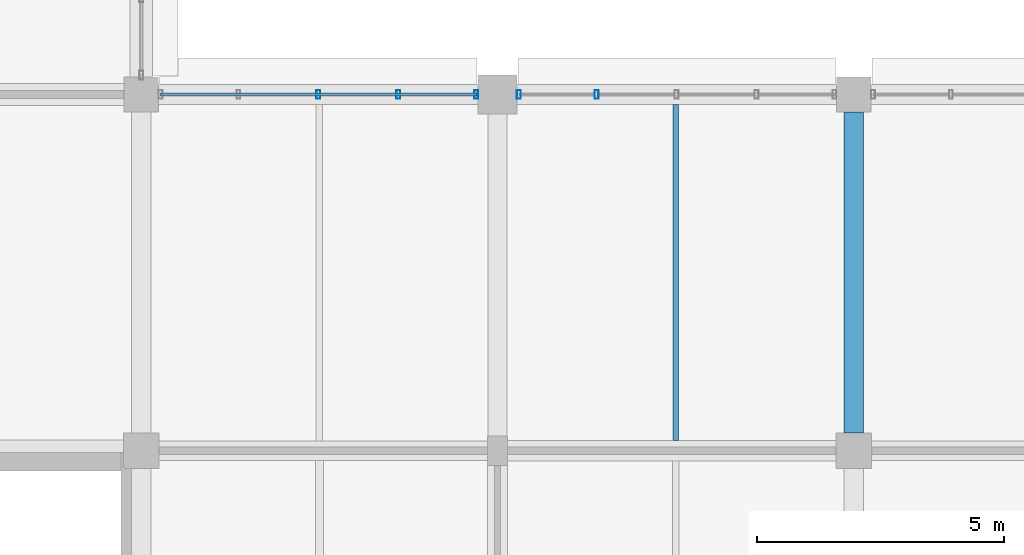
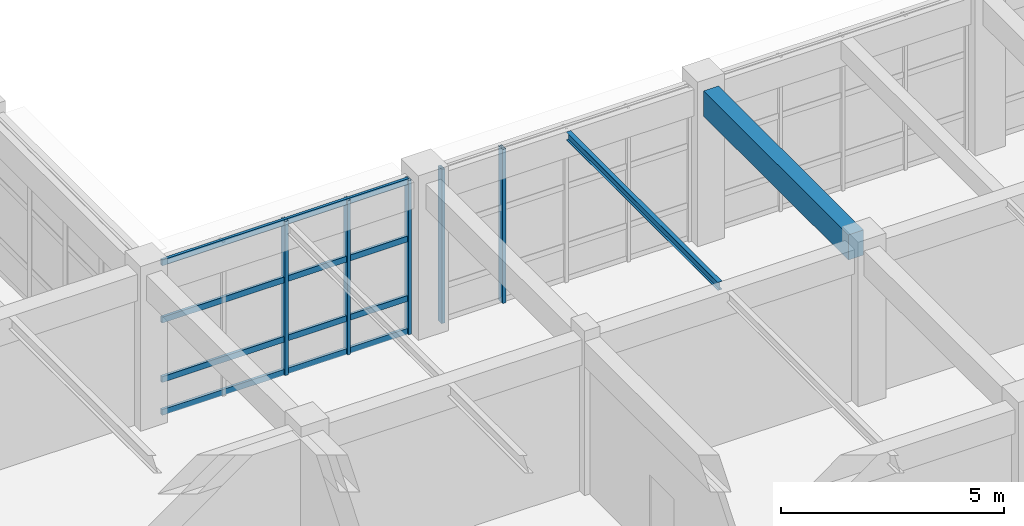
# One storey, part 15 of 171: 9 members, 2 beams, 2 elements without a shape of their own.
"""IFC4 building model written with IfcOpenShell, lengths in metres."""

from ifc_helpers import new_model, si_unit, direction, frame, origin, origin_2d, place, context, subcontext, project, spatial, rectangle, hollow_rectangle, i_section, extrude, material, material_profile, profile_set, type_object, element, aggregate, save


model = new_model("IFC4")

# Units and contexts
model_context = context("Model", 3, precision=1e-05, world=origin(), true_north=direction((0.0, 1.0)))
body_context = subcontext(model_context, "Body", "Model", "MODEL_VIEW")
ifc_project = project(units=[si_unit("LENGTHUNIT", "METRE"), si_unit("AREAUNIT", "SQUARE_METRE"), si_unit("VOLUMEUNIT", "CUBIC_METRE"), si_unit("PLANEANGLEUNIT", "RADIAN"), si_unit("MASSUNIT", "GRAM", prefix="KILO")], contexts=[model_context])

# Site, building, storey
site_placement = place(None, origin())
site = spatial("IfcSite", under=ifc_project, at=site_placement, CompositionType="ELEMENT")
building_placement = place(site_placement, origin())
building = spatial("IfcBuilding", under=site, at=building_placement, Name="Thalmaran Polytechnic", CompositionType="ELEMENT")
storey_placement = place(building_placement, frame((0.0, 0.0, 5.39990234375)))
storey = spatial("IfcBuildingStorey", under=building, at=storey_placement, Name="L01", CompositionType="ELEMENT", Elevation=5.39990234375)

# Beams
ifc_material_1 = material(Name="Concrete C40/50", Category="concrete")
ifc_material_profile_1 = material_profile(ifc_material_1, rectangle(XDim=0.389892578125, YDim=0.68994140625, at=origin_2d()), Name="RC 390x690")
ifc_profile_set_1 = profile_set([ifc_material_profile_1], Name="Concrete C40/50")
beam_type_1 = type_object("IfcBeamType", Name="BM-RC09", PredefinedType="BEAM", material=ifc_profile_set_1)
beam_1_placement = place(storey_placement, frame((43.199951171875, 14.760009765625, 3.864990234375), z_axis=(0.0, 1.0, 0.0), x_axis=(-1.0, 0.0, 0.0)))
element("IfcBeam", 1, at=beam_1_placement, inside=storey, type_object=beam_type_1, Name="Grid Beam B09 L01 Y(6,2)", PredefinedType="BEAM", context=body_context, shape_type="SweptSolid", body=[
    extrude(rectangle(XDim=0.389892578125, YDim=0.68994140625, at=origin_2d()), origin(), (0.0, 0.0, 1.0), 6.489990234375),
])
ifc_material_2 = material(Name="Steel S355", Category="steel")
ifc_material_profile_2 = material_profile(ifc_material_2, i_section(OverallWidth=0.110107421875, OverallDepth=0.219970703125, WebThickness=0.005859375, FlangeThickness=0.00927734375, at=origin_2d()), Name="IPE 220")
ifc_profile_set_2 = profile_set([ifc_material_profile_2], Name="Steel S355")
beam_type_2 = type_object("IfcBeamType", Name="BM-SJ04", PredefinedType="JOIST", material=ifc_profile_set_2)
beam_2_placement = place(storey_placement, frame((39.60009765625, 14.610107421875, 4.10009765625), z_axis=(0.0, 1.0, 0.0), x_axis=(-1.0, 0.0, 0.0)))
element("IfcBeam", 2, at=beam_2_placement, inside=storey, type_object=beam_type_2, Name="Secondary Floor Rib SJ04 L01 (5,2)", PredefinedType="JOIST", context=body_context, shape_type="SweptSolid", body=[
    extrude(i_section(OverallWidth=0.110107421875, OverallDepth=0.219970703125, WebThickness=0.005859375, FlangeThickness=0.00927734375, at=origin_2d()), origin(), (0.0, 0.0, 1.0), 6.789794921875),
])

# Curtain wall, members
ifc_material_3 = material(Name="Aluminium 6063-T6", Category="aluminium")
curtain_wall_type = type_object("IfcCurtainWallType", Name="CW-UC02", PredefinedType="USERDEFINED", material=ifc_material_3)
curtain_wall_1_placement = place(storey_placement, origin())
curtain_wall_1 = element("IfcCurtainWall", 3, at=curtain_wall_1_placement, inside=storey, type_object=curtain_wall_type, Name="Curtain Wall CW-L01-163", ObjectType="UNITISED CURTAIN WALL", PredefinedType="USERDEFINED")
ifc_material_profile_3 = material_profile(ifc_material_3, hollow_rectangle(XDim=0.080078125, YDim=0.179931640625, WallThickness=0.0048828125, at=origin_2d()), Name="RHS 180x80x5.0")
ifc_profile_set_3 = profile_set([ifc_material_profile_3], Name="Aluminium 6063-T6")
member_type_1 = type_object("IfcMemberType", Name="CW-MUL1", PredefinedType="MULLION", material=ifc_profile_set_3)
member_1_placement = place(storey_placement, frame((32.3798828125, 21.60009765625, 0.0), z_axis=(0.0, 0.0, 1.0), x_axis=(1.0, 0.0, 0.0)))
member_1 = element("IfcMember", 4, at=member_1_placement, type_object=member_type_1, Name="CW-L01-163 Mullion 3", PredefinedType="MULLION", context=body_context, shape_type="SweptSolid", body=[
    extrude(hollow_rectangle(XDim=0.080078125, YDim=0.179931640625, WallThickness=0.0048828125, at=origin_2d()), origin(), (0.0, 0.0, 1.0), 4.210205078125),
])
member_2_placement = place(storey_placement, frame((33.9951171875, 21.60009765625, 0.0), z_axis=(0.0, 0.0, 1.0), x_axis=(1.0, 0.0, 0.0)))
member_2 = element("IfcMember", 5, at=member_2_placement, type_object=member_type_1, Name="CW-L01-163 Mullion 4", PredefinedType="MULLION", context=body_context, shape_type="SweptSolid", body=[
    extrude(hollow_rectangle(XDim=0.080078125, YDim=0.179931640625, WallThickness=0.0048828125, at=origin_2d()), origin(), (0.0, 0.0, 1.0), 4.210205078125),
])
member_3_placement = place(storey_placement, frame((35.570068359375, 21.60009765625, 0.0), z_axis=(0.0, 0.0, 1.0), x_axis=(1.0, 0.0, 0.0)))
member_3 = element("IfcMember", 6, at=member_3_placement, type_object=member_type_1, Name="CW-L01-163 Mullion 5", PredefinedType="MULLION", context=body_context, shape_type="SweptSolid", body=[
    extrude(hollow_rectangle(XDim=0.080078125, YDim=0.179931640625, WallThickness=0.0048828125, at=origin_2d()), origin(), (0.0, 0.0, 1.0), 4.210205078125),
])

curtain_wall_2_placement = place(storey_placement, origin())
curtain_wall_2 = element("IfcCurtainWall", 7, at=curtain_wall_2_placement, inside=storey, type_object=curtain_wall_type, Name="Curtain Wall CW-L01-164", ObjectType="UNITISED CURTAIN WALL", PredefinedType="USERDEFINED")
member_4_placement = place(storey_placement, frame((36.429931640625, 21.60009765625, 0.0), z_axis=(0.0, 0.0, 1.0), x_axis=(1.0, 0.0, 0.0)))
member_4 = element("IfcMember", 8, at=member_4_placement, type_object=member_type_1, Name="CW-L01-164 Mullion 1", PredefinedType="MULLION", context=body_context, shape_type="SweptSolid", body=[
    extrude(hollow_rectangle(XDim=0.080078125, YDim=0.179931640625, WallThickness=0.0048828125, at=origin_2d()), origin(), (0.0, 0.0, 1.0), 4.210205078125),
])
member_5_placement = place(storey_placement, frame((38.0048828125, 21.60009765625, 0.0), z_axis=(0.0, 0.0, 1.0), x_axis=(1.0, 0.0, 0.0)))
member_5 = element("IfcMember", 9, at=member_5_placement, type_object=member_type_1, Name="CW-L01-164 Mullion 2", PredefinedType="MULLION", context=body_context, shape_type="SweptSolid", body=[
    extrude(hollow_rectangle(XDim=0.080078125, YDim=0.179931640625, WallThickness=0.0048828125, at=origin_2d()), origin(), (0.0, 0.0, 1.0), 4.210205078125),
])
aggregate(curtain_wall_2, [member_4, member_5])

# Member
ifc_material_profile_4 = material_profile(ifc_material_3, hollow_rectangle(XDim=0.070068359375, YDim=0.159912109375, WallThickness=0.00390625, at=origin_2d()), Name="AL 160x70x4.0")
ifc_profile_set_4 = profile_set([ifc_material_profile_4], Name="Aluminium 6063-T6")
member_type_2 = type_object("IfcMemberType", Name="CW-TRN1", PredefinedType="USERDEFINED", material=ifc_profile_set_4)
member_6_placement = place(storey_placement, frame((29.18994140625, 21.60009765625, 0.06005859375), z_axis=(1.0, 0.0, 0.0), x_axis=(0.0, 1.0, 0.0)))
member_6 = element("IfcMember", 10, at=member_6_placement, type_object=member_type_2, Name="CW-L01-163 Transom 1", ObjectType="TRANSOM", PredefinedType="USERDEFINED", context=body_context, shape_type="SweptSolid", body=[
    extrude(hollow_rectangle(XDim=0.070068359375, YDim=0.159912109375, WallThickness=0.00390625, at=origin_2d()), origin(), (0.0, 0.0, 1.0), 6.380126953125),
])

member_7_placement = place(storey_placement, frame((29.18994140625, 21.60009765625, 0.960205078125), z_axis=(1.0, 0.0, 0.0), x_axis=(0.0, 1.0, 0.0)))
member_7 = element("IfcMember", 11, at=member_7_placement, type_object=member_type_2, Name="CW-L01-163 Transom 2", ObjectType="TRANSOM", PredefinedType="USERDEFINED", context=body_context, shape_type="SweptSolid", body=[
    extrude(hollow_rectangle(XDim=0.070068359375, YDim=0.159912109375, WallThickness=0.00390625, at=origin_2d()), origin(), (0.0, 0.0, 1.0), 6.380126953125),
])

member_8_placement = place(storey_placement, frame((29.18994140625, 21.60009765625, 2.585205078125), z_axis=(1.0, 0.0, 0.0), x_axis=(0.0, 1.0, 0.0)))
member_8 = element("IfcMember", 12, at=member_8_placement, type_object=member_type_2, Name="CW-L01-163 Transom 3", ObjectType="TRANSOM", PredefinedType="USERDEFINED", context=body_context, shape_type="SweptSolid", body=[
    extrude(hollow_rectangle(XDim=0.070068359375, YDim=0.159912109375, WallThickness=0.00390625, at=origin_2d()), origin(), (0.0, 0.0, 1.0), 6.380126953125),
])

member_9_placement = place(storey_placement, frame((29.18994140625, 21.60009765625, 4.150146484375), z_axis=(1.0, 0.0, 0.0), x_axis=(0.0, 1.0, 0.0)))
member_9 = element("IfcMember", 13, at=member_9_placement, type_object=member_type_2, Name="CW-L01-163 Transom 4", ObjectType="TRANSOM", PredefinedType="USERDEFINED", context=body_context, shape_type="SweptSolid", body=[
    extrude(hollow_rectangle(XDim=0.070068359375, YDim=0.159912109375, WallThickness=0.00390625, at=origin_2d()), origin(), (0.0, 0.0, 1.0), 6.380126953125),
])

aggregate(curtain_wall_1, [member_1, member_2, member_3, member_6, member_7, member_8, member_9])

save(model, "model.ifc")
